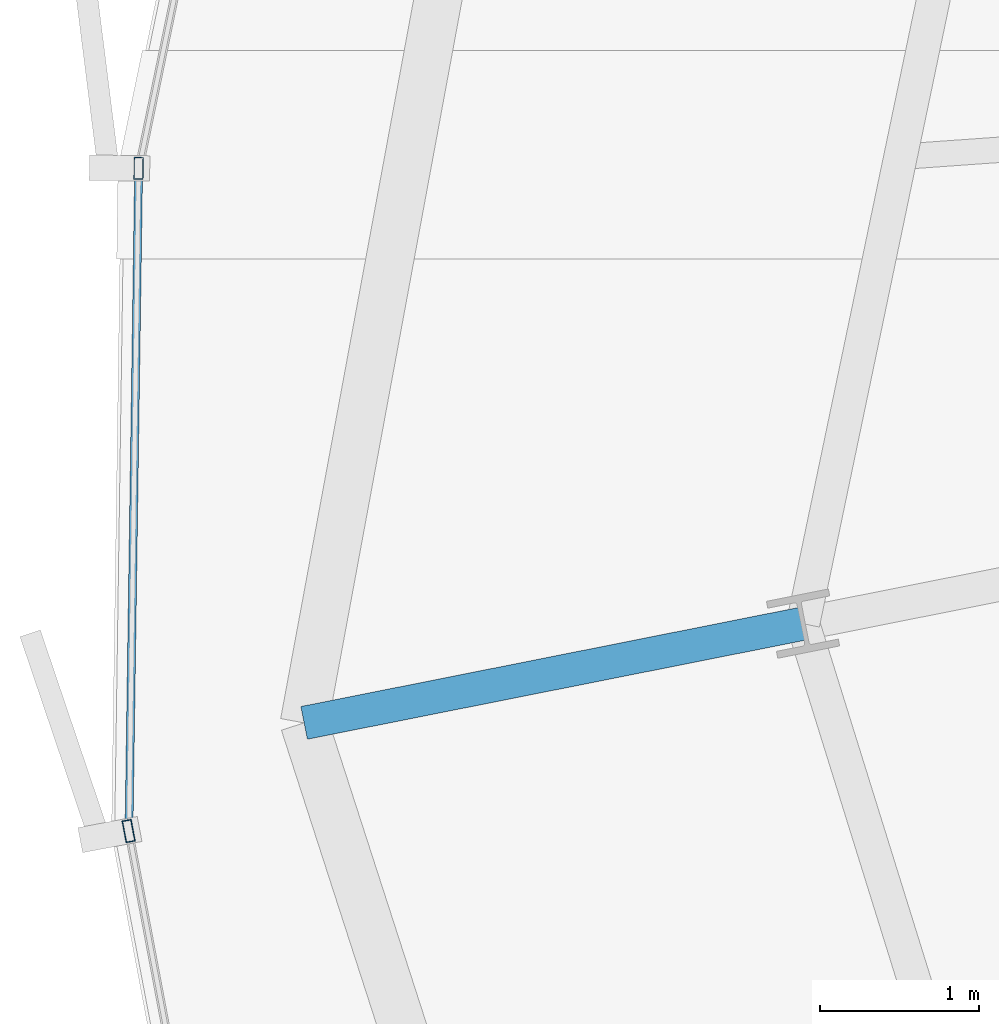
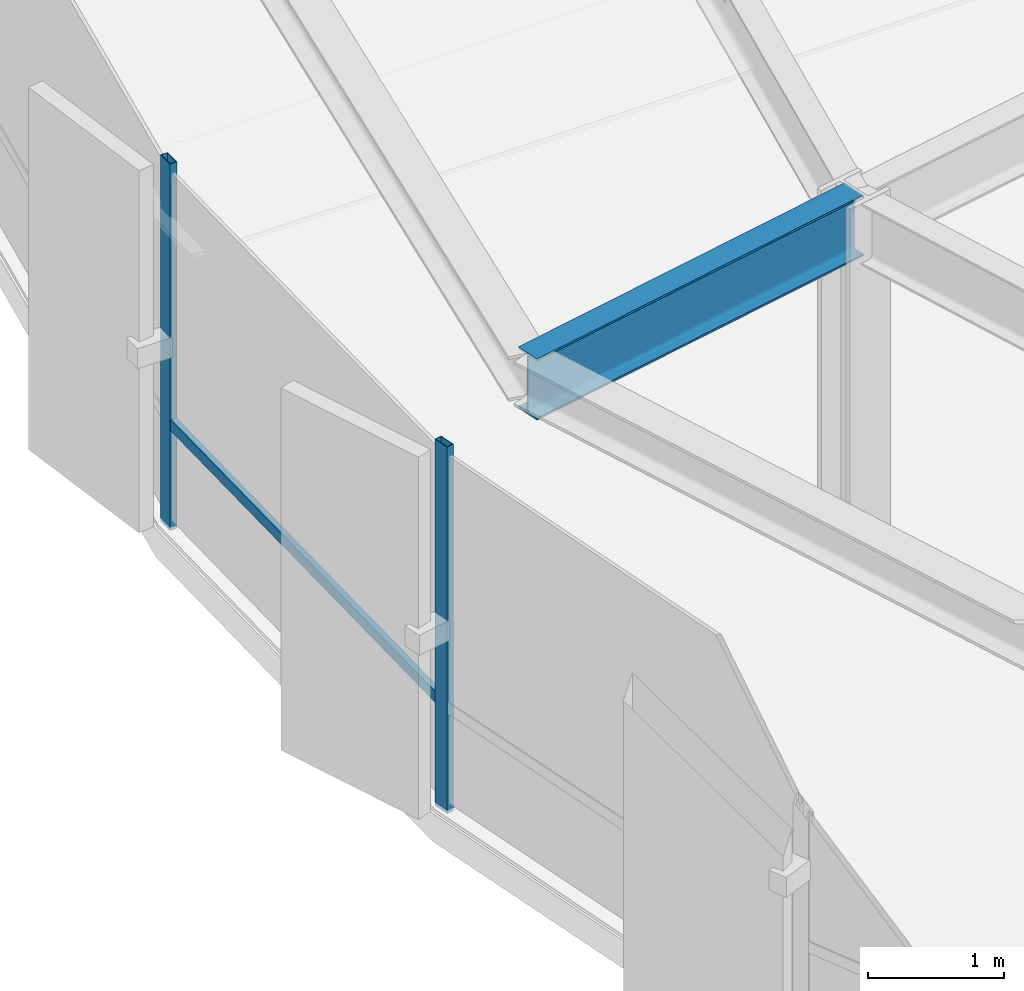
# One storey, part 8 of 36: 3 members, 1 beam, 1 element without a shape of its own.
"""IFC4 building model written with IfcOpenShell, lengths in metres."""

import ifcopenshell
import ifcopenshell.guid

model = None  # the IFC model being written
_history = None  # IfcOwnerHistory: only IFC2X3 demands one
_inside = {}  # id of a spatial element -> (the spatial element, [elements in it])
_under = {}  # id of a project, library or spatial element -> (it, [spatial elements below it])
_declared = {}  # id of a project -> (the project, [libraries it declares])
_typed = {}  # id of a type object -> (the type object, [elements of that type])
_made_of = {}  # id of a material, layer set ... -> (it, [elements and type objects made of it])


def new_model(schema):
    """Start an empty IFC model of exactly this schema.

    Asked for "IFC4X3", IfcOpenShell would pick the latest addendum, in which some entities
    have other attributes; the version numbers below select the first issue.
    IFC2X3 requires an IfcOwnerHistory on every rooted entity: one is made here for all.
    """
    global model, _history
    if schema == "IFC4X3":
        model = ifcopenshell.file(schema_version=(4, 3, 0, 0))
    else:
        model = ifcopenshell.file(schema=schema)
    _inside.clear()
    _under.clear()
    _declared.clear()
    _typed.clear()
    _made_of.clear()
    _history = None
    if model.schema == "IFC2X3":
        org = make("IfcOrganization", Name="unknown")
        user = make(
            "IfcPersonAndOrganization",
            ThePerson=make("IfcPerson", FamilyName="unknown"),
            TheOrganization=org,
        )
        app = make(
            "IfcApplication",
            ApplicationDeveloper=org,
            Version="unknown",
            ApplicationFullName="unknown",
            ApplicationIdentifier="unknown",
        )
        _history = make(
            "IfcOwnerHistory",
            OwningUser=user,
            OwningApplication=app,
            ChangeAction="ADDED",
            CreationDate=0,
        )
    return model


def make(cls, **values):
    """One entity of the class cls with the attributes given. An attribute that is None is left unset."""
    return model.create_entity(
        cls, **{name: value for name, value in values.items() if value is not None}
    )


def rooted(cls, **values):
    """An entity with a GlobalId (a new one), such as an element, a storey or a relation."""
    return make(cls, GlobalId=ifcopenshell.guid.new(), OwnerHistory=_history, **values)


def si_unit(unit_type, name, prefix=None):
    """IfcSIUnit, for example si_unit("LENGTHUNIT", "METRE", prefix="MILLI")."""
    return make("IfcSIUnit", UnitType=unit_type, Prefix=prefix, Name=name)


def assignment(units):
    """IfcUnitAssignment: the units of a project."""
    return None if units is None else make("IfcUnitAssignment", Units=units)


def point(xyz):
    """IfcCartesianPoint."""
    return None if xyz is None else make("IfcCartesianPoint", Coordinates=xyz)


def direction(xyz):
    """IfcDirection."""
    return None if xyz is None else make("IfcDirection", DirectionRatios=xyz)


def frame(location, z_axis=None, x_axis=None):
    """IfcAxis2Placement3D, a coordinate frame: its origin and axes. An axis left out is left unset."""
    return make(
        "IfcAxis2Placement3D",
        Location=point(location),
        Axis=direction(z_axis),
        RefDirection=direction(x_axis),
    )


def frame_2d(location, x_axis=None):
    """IfcAxis2Placement2D, a coordinate frame in the plane: its origin and x axis."""
    return make(
        "IfcAxis2Placement2D", Location=point(location), RefDirection=direction(x_axis)
    )


def origin():
    """The frame at (0, 0, 0) with its axes left unset."""
    return frame((0.0, 0.0, 0.0))


def origin_2d():
    """The frame at (0, 0) in the plane with its x axis left unset."""
    return frame_2d((0.0, 0.0))


def place(relative_to, where):
    """IfcLocalPlacement: puts the frame where relative to a parent placement (None: the world)."""
    return make(
        "IfcLocalPlacement", PlacementRelTo=relative_to, RelativePlacement=where
    )


def context(
    kind, dimensions, precision=None, world=None, true_north=None, identifier=None
):
    """IfcGeometricRepresentationContext, for example the 3D "Model" context."""
    return make(
        "IfcGeometricRepresentationContext",
        ContextIdentifier=identifier,
        ContextType=kind,
        CoordinateSpaceDimension=dimensions,
        Precision=precision,
        WorldCoordinateSystem=world,
        TrueNorth=true_north,
    )


def subcontext(parent, identifier, kind, view, scale=None):
    """IfcGeometricRepresentationSubContext, for example "Body" below "Model"."""
    return make(
        "IfcGeometricRepresentationSubContext",
        ContextIdentifier=identifier,
        ContextType=kind,
        ParentContext=parent,
        TargetScale=scale,
        TargetView=view,
    )


def project(units=None, contexts=None):
    """IfcProject with its units and contexts."""
    return rooted(
        "IfcProject",
        Name="project",
        RepresentationContexts=contexts,
        UnitsInContext=assignment(units),
    )


def spatial(cls, under=None, at=None, **own):
    """A site, building, storey or space (cls), placed at a placement, below another one or the project."""
    s = rooted(cls, ObjectPlacement=at, **own)
    if under is not None:
        _under.setdefault(under.id(), (under, []))[1].append(s)
    return s


def profile(cls, at=None, kind="AREA", **sizes):
    """A parametric profile (cls). Its sizes go by their IFC names, for example OverallWidth=200.0."""
    return make(cls, ProfileType=kind, Position=at, **sizes)


def hollow_rectangle(**sizes):
    """IfcRectangleHollowProfileDef."""
    return profile("IfcRectangleHollowProfileDef", **sizes)


def i_section(**sizes):
    """IfcIShapeProfileDef."""
    return profile("IfcIShapeProfileDef", **sizes)


def extrude(swept, where, along, depth):
    """IfcExtrudedAreaSolid: the profile swept, set in the frame where, extruded along a direction by depth."""
    return make(
        "IfcExtrudedAreaSolid",
        SweptArea=swept,
        Position=where,
        ExtrudedDirection=direction(along),
        Depth=depth,
    )


def shape(context_of_items, identifier, shape_type, items):
    """IfcShapeRepresentation: the items that make up one representation, for example the "Body"."""
    return make(
        "IfcShapeRepresentation",
        ContextOfItems=context_of_items,
        RepresentationIdentifier=identifier,
        RepresentationType=shape_type,
        Items=items,
    )


def source(mapping_origin, context_of_items, identifier, shape_type, items):
    """IfcRepresentationMap: a shape defined once, which mapped items show again and again."""
    return make(
        "IfcRepresentationMap",
        MappingOrigin=mapping_origin,
        MappedRepresentation=shape(context_of_items, identifier, shape_type, items),
    )


def transform(
    local_origin,
    x_axis=None,
    y_axis=None,
    z_axis=None,
    scale=None,
    scale2=None,
    scale3=None,
    uniform=True,
):
    """IfcCartesianTransformationOperator3D, or its non-uniform kind. x_axis, y_axis, z_axis: its Axis1, 2, 3."""
    if uniform:
        return make(
            "IfcCartesianTransformationOperator3D",
            Axis1=direction(x_axis),
            Axis2=direction(y_axis),
            LocalOrigin=point(local_origin),
            Scale=scale,
            Axis3=direction(z_axis),
        )
    return make(
        "IfcCartesianTransformationOperator3DnonUniform",
        Axis1=direction(x_axis),
        Axis2=direction(y_axis),
        LocalOrigin=point(local_origin),
        Scale=scale,
        Axis3=direction(z_axis),
        Scale2=scale2,
        Scale3=scale3,
    )


def mapped(mapping_source, mapping_target):
    """IfcMappedItem: shows the shape of a source again, moved by a transform."""
    return make(
        "IfcMappedItem", MappingSource=mapping_source, MappingTarget=mapping_target
    )


def material(Name=None, Category=None):
    """IfcMaterial."""
    return make("IfcMaterial", Name=Name, Category=Category)


def layer(
    of_material, thickness, ventilated=None, Name=None, Category=None, Priority=None
):
    """IfcMaterialLayer: one layer of a wall or slab, of a material (None: an air gap)."""
    return make(
        "IfcMaterialLayer",
        Material=of_material,
        LayerThickness=thickness,
        IsVentilated=ventilated,
        Name=Name,
        Category=Category,
        Priority=Priority,
    )


def layer_set(layers, Name=None):
    """IfcMaterialLayerSet."""
    return make("IfcMaterialLayerSet", MaterialLayers=layers, LayerSetName=Name)


def material_profile(
    of_material, cross_section, Name=None, Category=None, Priority=None
):
    """IfcMaterialProfile: a cross section and its material."""
    return make(
        "IfcMaterialProfile",
        Name=Name,
        Material=of_material,
        Profile=cross_section,
        Priority=Priority,
        Category=Category,
    )


def profile_set(profiles, Name=None, composite=None):
    """IfcMaterialProfileSet."""
    return make(
        "IfcMaterialProfileSet",
        Name=Name,
        MaterialProfiles=profiles,
        CompositeProfile=composite,
    )


def made_of(thing, what):
    """Note that an element or type object is made of a material, layer set ...; save() writes the relation."""
    if what is not None:
        _made_of.setdefault(what.id(), (what, []))[1].append(thing)
    return thing


def type_object(cls, material=None, **own):
    """A type object (cls), such as IfcWallType, which elements share."""
    return made_of(rooted(cls, **own), material)


def element(
    cls,
    number,
    at=None,
    inside=None,
    cuts=None,
    type_object=None,
    material=None,
    context=None,
    identifier="Body",
    shape_type=None,
    held_by="IfcProductDefinitionShape",
    body=None,
    shapes=None,
    **own,
):
    """One element of the class cls, such as IfcWall. Its Tag is "e" and its number.

    at: its placement. inside: the storey or other place that contains it. cuts: it is an
    opening in that element (IfcRelVoidsElement). A single representation is given by context,
    identifier, shape_type and body (its items); several are given by shapes. held_by: the class
    of the entity that holds the representations. save() writes the other relations.
    """
    e = rooted(cls, Tag="e%d" % number, ObjectPlacement=at, **own)
    if body is not None:
        shapes = [shape(context, identifier, shape_type, body)]
    if shapes is not None:
        e.Representation = make(held_by, Representations=shapes)
    if inside is not None:
        _inside.setdefault(inside.id(), (inside, []))[1].append(e)
    if cuts is not None:
        rooted(
            "IfcRelVoidsElement", RelatingBuildingElement=cuts, RelatedOpeningElement=e
        )
    if type_object is not None:
        _typed.setdefault(type_object.id(), (type_object, []))[1].append(e)
    return made_of(e, material)


def aggregate(whole, parts):
    """IfcRelAggregates: a whole, such as a stair, and the parts it consists of."""
    return rooted("IfcRelAggregates", RelatingObject=whole, RelatedObjects=parts)


def save(model, path):
    """Write the relations noted so far, then the file.

    IfcRelAggregates (storeys below a building ...), IfcRelContainedInSpatialStructure (elements
    in a storey), IfcRelDefinesByType, IfcRelAssociatesMaterial and IfcRelDeclares: one each for
    every whole, place, type object, material and project.
    """
    for whole, parts in _under.values():
        aggregate(whole, parts)
    for where, things in _inside.values():
        rooted(
            "IfcRelContainedInSpatialStructure",
            RelatedElements=things,
            RelatingStructure=where,
        )
    for kind, things in _typed.values():
        rooted("IfcRelDefinesByType", RelatedObjects=things, RelatingType=kind)
    for what, things in _made_of.values():
        rooted("IfcRelAssociatesMaterial", RelatedObjects=things, RelatingMaterial=what)
    for by, libraries in _declared.values():
        rooted("IfcRelDeclares", RelatingContext=by, RelatedDefinitions=libraries)
    model.write(path)


model = new_model("IFC4")

# Units and contexts
model_context = context("Model", 3, precision=1e-05, world=origin(), true_north=direction((0.0, 1.0)))
body_context = subcontext(model_context, "Body", "Model", "MODEL_VIEW")
ifc_project = project(units=[si_unit("LENGTHUNIT", "METRE"), si_unit("AREAUNIT", "SQUARE_METRE"), si_unit("VOLUMEUNIT", "CUBIC_METRE"), si_unit("PLANEANGLEUNIT", "RADIAN"), si_unit("MASSUNIT", "GRAM", prefix="KILO"), si_unit("THERMODYNAMICTEMPERATUREUNIT", "KELVIN")], contexts=[model_context])

# Site, building, storey
site_placement = place(None, origin())
site = spatial("IfcSite", under=ifc_project, at=site_placement, CompositionType="ELEMENT")
building_placement = place(site_placement, origin())
building = spatial("IfcBuilding", under=site, at=building_placement, Name="Kethvar Cultural Tower", CompositionType="ELEMENT")
storey_placement = place(building_placement, frame((0.0, 0.0, 150.10009765625)))
storey = spatial("IfcBuildingStorey", under=building, at=storey_placement, Name="L38", CompositionType="ELEMENT", Elevation=150.10009765625)

# Beam
ifc_material_1 = material(Name="Steel S355J2", Category="steel")
ifc_material_profile_1 = material_profile(ifc_material_1, i_section(OverallWidth=0.2099609375, OverallDepth=0.550048828125, WebThickness=0.010986328125, FlangeThickness=0.01708984375, FilletRadius=0.02392578125, at=origin_2d()), Name="Steel S355J2 — IPE550")
ifc_profile_set_1 = profile_set([ifc_material_profile_1], Name="Steel S355J2 — IPE550")
beam_type = type_object("IfcBeamType", Name="BM-IPE550", PredefinedType="BEAM", material=ifc_profile_set_1)
shared_shape_1 = source(origin(), body_context, "Body", "SweptSolid", [
    extrude(i_section(OverallWidth=0.2099609375, OverallDepth=0.550048828125, WebThickness=0.010986328125, FlangeThickness=0.01708984375, FilletRadius=0.02392578125, at=origin_2d()), origin(), (0.0, 0.0, 1.0), 3.199951171875),
])
beam_placement = place(storey_placement, frame((24.185302734375, 23.3017578125, 3.02294921875), z_axis=(-0.980785550224, -0.195088965533, 0.0), x_axis=(0.195088965533, -0.980785550224, 0.0)))
element("IfcBeam", 1, at=beam_placement, inside=storey, type_object=beam_type, Name="L38 Perimeter Cantilever Beam RC-09", PredefinedType="BEAM", context=body_context, shape_type="MappedRepresentation", body=[
    mapped(shared_shape_1, transform((0.0, 0.0, 0.0), scale=1.0)),
])

# Curtain wall, members
ifc_material_2 = material(Name="Aluminium 6063-T6", Category="aluminium")
ifc_layer = layer(ifc_material_2, 0.179931640625, Name="Aluminium 6063-T6", Category="aluminium")
ifc_layer_set = layer_set([ifc_layer], Name="Aluminium 6063-T6 (180 mm)")
curtain_wall_type = type_object("IfcCurtainWallType", Name="CW-SYS-04-Z34", PredefinedType="NOTDEFINED", material=ifc_layer_set)
curtain_wall_placement = place(storey_placement, origin())
curtain_wall = element("IfcCurtainWall", 2, at=curtain_wall_placement, inside=storey, type_object=curtain_wall_type, Name="L38 Curtain Wall Run 03", PredefinedType="NOTDEFINED")
ifc_material_profile_2 = material_profile(ifc_material_2, hollow_rectangle(XDim=0.06005859375, YDim=0.139892578125, WallThickness=0.0048828125, at=origin_2d()), Name="Aluminium 6063-T6 — RHS140x60x5")
ifc_profile_set_2 = profile_set([ifc_material_profile_2], Name="Aluminium 6063-T6 — RHS140x60x5")
member_type_1 = type_object("IfcMemberType", Name="CW-SYS-04-Z34-MUL", PredefinedType="MULLION", material=ifc_profile_set_2)
shared_shape_2 = source(origin(), body_context, "Body", "SweptSolid", [
    extrude(hollow_rectangle(XDim=0.06005859375, YDim=0.139892578125, WallThickness=0.0048828125, at=origin_2d()), origin(), (0.0, 0.0, 1.0), 3.2998046875),
])
member_1_placement = place(storey_placement, frame((20.005615234375, 26.166015625, 0.0), z_axis=(0.0, 0.0, 1.0), x_axis=(0.999894316523, -0.014538080502, 0.0)))
member_1 = element("IfcMember", 3, at=member_1_placement, type_object=member_type_1, Name="CW-L38-R03 Mullion 4", PredefinedType="MULLION", context=body_context, shape_type="MappedRepresentation", body=[
    mapped(shared_shape_2, transform((0.0, 0.0, 0.0), scale=1.0)),
])
member_2_placement = place(storey_placement, frame((19.94287109375, 21.9970703125, 0.0), z_axis=(0.0, 0.0, 1.0), x_axis=(0.982612796544, 0.185666615386, 0.0)))
member_2 = element("IfcMember", 4, at=member_2_placement, type_object=member_type_1, Name="CW-L38-R03 Mullion 5", PredefinedType="MULLION", context=body_context, shape_type="MappedRepresentation", body=[
    mapped(shared_shape_2, transform((0.0, 0.0, 0.0), scale=1.0)),
])
ifc_material_profile_3 = material_profile(ifc_material_2, hollow_rectangle(XDim=0.050048828125, YDim=0.10009765625, WallThickness=0.00390625, at=origin_2d()), Name="Aluminium 6063-T6 — RHS100x50x4")
ifc_profile_set_3 = profile_set([ifc_material_profile_3], Name="Aluminium 6063-T6 — RHS100x50x4")
member_type_2 = type_object("IfcMemberType", Name="CW-SYS-04-Z34-TRN", PredefinedType="USERDEFINED", material=ifc_profile_set_3)
shared_shape_3 = source(origin(), body_context, "Body", "SweptSolid", [
    extrude(hollow_rectangle(XDim=0.050048828125, YDim=0.10009765625, WallThickness=0.00390625, at=origin_2d()), origin(), (0.0, 0.0, 1.0), 4.10498046875),
])
member_3_placement = place(storey_placement, frame((20.005126953125, 26.122802734375, 0.949951171875), z_axis=(-0.014571376921, -0.999893831851, 0.0), x_axis=(0.999893831851, -0.014571376921, 0.0)))
member_3 = element("IfcMember", 5, at=member_3_placement, type_object=member_type_2, Name="CW-L38-R03 Transom 4", ObjectType="TRANSOM", PredefinedType="USERDEFINED", context=body_context, shape_type="MappedRepresentation", body=[
    mapped(shared_shape_3, transform((0.0, 0.0, 0.0), scale=1.0)),
])
aggregate(curtain_wall, [member_1, member_2, member_3])

save(model, "model.ifc")
